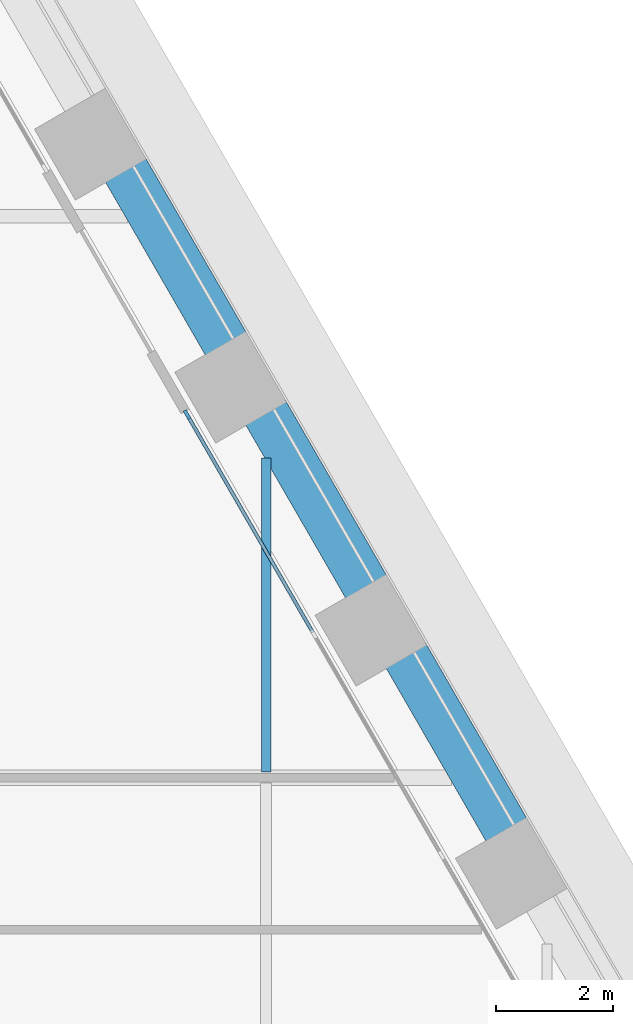
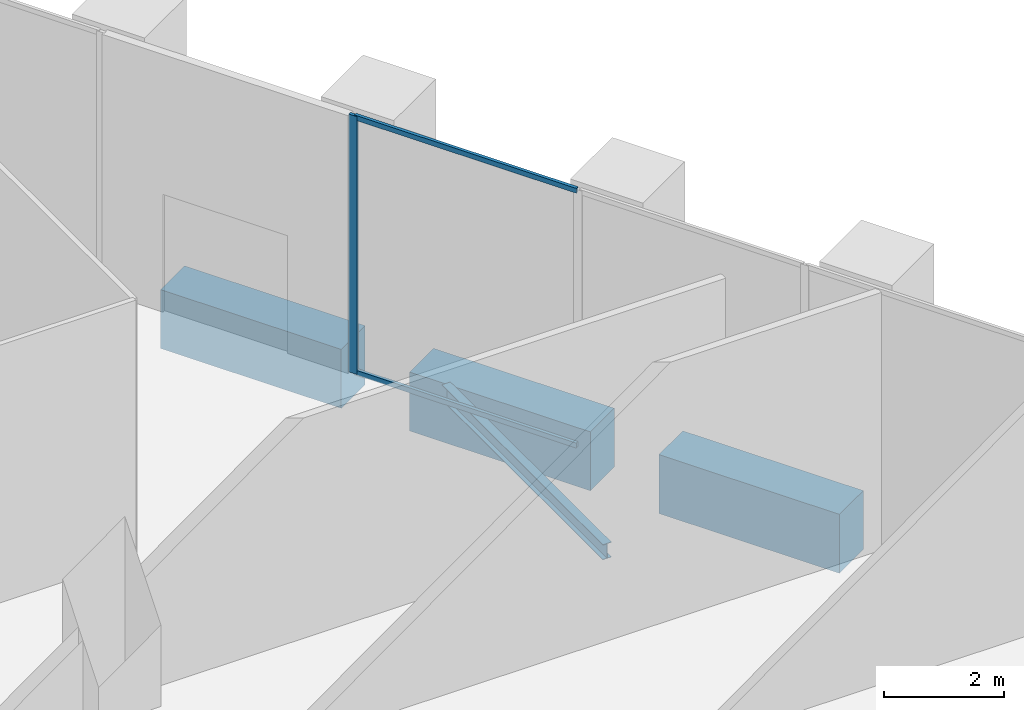
# One storey, part 12 of 27: 4 beams, 3 members, 1 element without a shape of its own.
"""IFC4 building model written with IfcOpenShell, lengths in metres."""

from ifc_helpers import new_model, si_unit, direction, frame, origin, origin_2d, place, context, subcontext, project, spatial, rectangle, i_section, extrude, material, material_profile, profile_set, type_object, element, aggregate, save


model = new_model("IFC4")

# Units and contexts
model_context = context("Model", 3, precision=1e-05, world=origin(), true_north=direction((0.0, 1.0)))
body_context = subcontext(model_context, "Body", "Model", "MODEL_VIEW")
ifc_project = project(units=[si_unit("LENGTHUNIT", "METRE"), si_unit("AREAUNIT", "SQUARE_METRE"), si_unit("VOLUMEUNIT", "CUBIC_METRE"), si_unit("PLANEANGLEUNIT", "RADIAN"), si_unit("MASSUNIT", "GRAM", prefix="KILO")], contexts=[model_context])

# Site, building, storey
site_placement = place(None, origin())
site = spatial("IfcSite", under=ifc_project, at=site_placement, CompositionType="ELEMENT")
building_placement = place(site_placement, origin())
building = spatial("IfcBuilding", under=site, at=building_placement, Name="Kolab Exchange Tower", CompositionType="ELEMENT")
storey_placement = place(building_placement, frame((0.0, 0.0, 27.89990234375)))
storey = spatial("IfcBuildingStorey", under=building, at=storey_placement, Name="L05", CompositionType="ELEMENT", Elevation=27.89990234375)

# Beams
ifc_material_1 = material(Name="Steel S355", Category="steel")
ifc_material_profile_1 = material_profile(ifc_material_1, i_section(OverallWidth=0.1650390625, OverallDepth=0.31005859375, WebThickness=0.005859375, FlangeThickness=0.009765625, at=origin_2d()), Name="W310X39")
ifc_profile_set_1 = profile_set([ifc_material_profile_1], Name="Steel S355")
beam_type_1 = type_object("IfcBeamType", Name="FLOOR BEAM W310X39", PredefinedType="BEAM", material=ifc_profile_set_1)
beam_1_placement = place(storey_placement, frame((28.800048828125, 9.693603515625, -0.40478515625), z_axis=(0.0, 1.0, 0.0), x_axis=(-1.0, 0.0, 0.0)))
element("IfcBeam", 1, at=beam_1_placement, inside=storey, type_object=beam_type_1, Name="beam/L05/fr/061", PredefinedType="BEAM", context=body_context, shape_type="SweptSolid", body=[
    extrude(i_section(OverallWidth=0.1650390625, OverallDepth=0.31005859375, WebThickness=0.005859375, FlangeThickness=0.009765625, at=origin_2d()), origin(), (0.0, 0.0, 1.0), 5.3740234375),
])
ifc_material_2 = material(Name="Concrete C80/95", Category="concrete")
ifc_material_profile_2 = material_profile(ifc_material_2, rectangle(XDim=0.800048828125, YDim=1.199951171875, at=origin_2d()), Name="RC800X1200")
ifc_profile_set_2 = profile_set([ifc_material_profile_2], Name="Concrete C80/95")
beam_type_2 = type_object("IfcBeamType", Name="SPANDREL BEAM 800X1200 C80/95", PredefinedType="BEAM", material=ifc_profile_set_2)
beam_2_placement = place(storey_placement, frame((26.383544921875, 20.012939453125, -0.849853515625), z_axis=(0.500009906705, -0.86601968407, 0.0), x_axis=(0.86601968407, 0.500009906705, 0.0)))
element("IfcBeam", 2, at=beam_2_placement, inside=storey, type_object=beam_type_2, Name="beam/L05/sp/F2-04", PredefinedType="BEAM", context=body_context, shape_type="SweptSolid", body=[
    extrude(rectangle(XDim=0.800048828125, YDim=1.199951171875, at=origin_2d()), origin(), (0.0, 0.0, 1.0), 3.47998046875),
])
for number, where, z_axis, x_axis, name in (
    (3, (28.78369140625, 15.856201171875, -0.849853515625), (0.499979528911, -0.866037222451, 0.0), (0.866037222451, 0.499979528911, 0.0), "beam/L05/sp/F2-05"),
    (4, (31.18359375, 11.69921875, -0.849853515625), (0.499979528911, -0.866037222451, 0.0), (0.866037222451, 0.499979528911, 0.0), "beam/L05/sp/F2-06"),
):
    element("IfcBeam", number, at=place(storey_placement, frame(where, z_axis=z_axis, x_axis=x_axis)), inside=storey, type_object=beam_type_2, Name=name, PredefinedType="BEAM", context=body_context, shape_type="SweptSolid", body=[
        extrude(rectangle(XDim=0.800048828125, YDim=1.199951171875, at=origin_2d()), origin(), (0.0, 0.0, 1.0), 3.480224609375),
    ])

# Curtain wall, members
ifc_material_3 = material(Name="Aluminium EN AW-6063 T6", Category="aluminium")
curtain_wall_type = type_object("IfcCurtainWallType", Name="UNITISED LOW ZONE CURTAIN WALL", PredefinedType="NOTDEFINED", material=ifc_material_3)
curtain_wall_placement = place(storey_placement, origin())
curtain_wall = element("IfcCurtainWall", 5, at=curtain_wall_placement, inside=storey, type_object=curtain_wall_type, Name="cw/L05/F2-2", PredefinedType="NOTDEFINED")
ifc_material_profile_3 = material_profile(ifc_material_3, rectangle(XDim=0.06005859375, YDim=0.159912109375, at=origin_2d()), Name="RECT 60X160")
ifc_profile_set_3 = profile_set([ifc_material_profile_3], Name="Aluminium EN AW-6063 T6")
member_type_1 = type_object("IfcMemberType", Name="UNITISED LOW ZONE MULLION 60 X 160", PredefinedType="MULLION", material=ifc_profile_set_3)
member_1_placement = place(storey_placement, frame((27.44677734375, 15.811767578125, 0.0), z_axis=(0.0, 0.0, 1.0), x_axis=(0.866025422102, 0.499999968274, 0.0)))
member_1 = element("IfcMember", 6, at=member_1_placement, type_object=member_type_1, Name="CW1 mullion 1", PredefinedType="MULLION", context=body_context, shape_type="SweptSolid", body=[
    extrude(rectangle(XDim=0.06005859375, YDim=0.159912109375, at=origin_2d()), origin(), (0.0, 0.0, 1.0), 5.25),
])
ifc_material_profile_4 = material_profile(ifc_material_3, rectangle(XDim=0.06005859375, YDim=0.10009765625, at=origin_2d()), Name="RECT 60X100")
ifc_profile_set_4 = profile_set([ifc_material_profile_4], Name="Aluminium EN AW-6063 T6")
member_type_2 = type_object("IfcMemberType", Name="UNITISED LOW ZONE TRANSOM 60 X 100", PredefinedType="USERDEFINED", material=ifc_profile_set_4)
member_2_placement = place(storey_placement, frame((27.461669921875, 15.78564453125, 0.030029296875), z_axis=(0.500000816281, -0.866024932504, 0.0), x_axis=(0.866024932504, 0.500000816281, 0.0)))
member_2 = element("IfcMember", 7, at=member_2_placement, type_object=member_type_2, Name="CW1 transom 1.1", ObjectType="TRANSOM", PredefinedType="USERDEFINED", context=body_context, shape_type="SweptSolid", body=[
    extrude(rectangle(XDim=0.06005859375, YDim=0.10009765625, at=origin_2d()), origin(), (0.0, 0.0, 1.0), 4.27685546875),
])
member_3_placement = place(storey_placement, frame((27.461669921875, 15.78564453125, 5.22021484375), z_axis=(0.500000816281, -0.866024932504, 0.0), x_axis=(0.866024932504, 0.500000816281, 0.0)))
member_3 = element("IfcMember", 8, at=member_3_placement, type_object=member_type_2, Name="CW1 transom 1.2", ObjectType="TRANSOM", PredefinedType="USERDEFINED", context=body_context, shape_type="SweptSolid", body=[
    extrude(rectangle(XDim=0.06005859375, YDim=0.10009765625, at=origin_2d()), origin(), (0.0, 0.0, 1.0), 4.27685546875),
])
aggregate(curtain_wall, [member_1, member_2, member_3])

save(model, "model.ifc")
